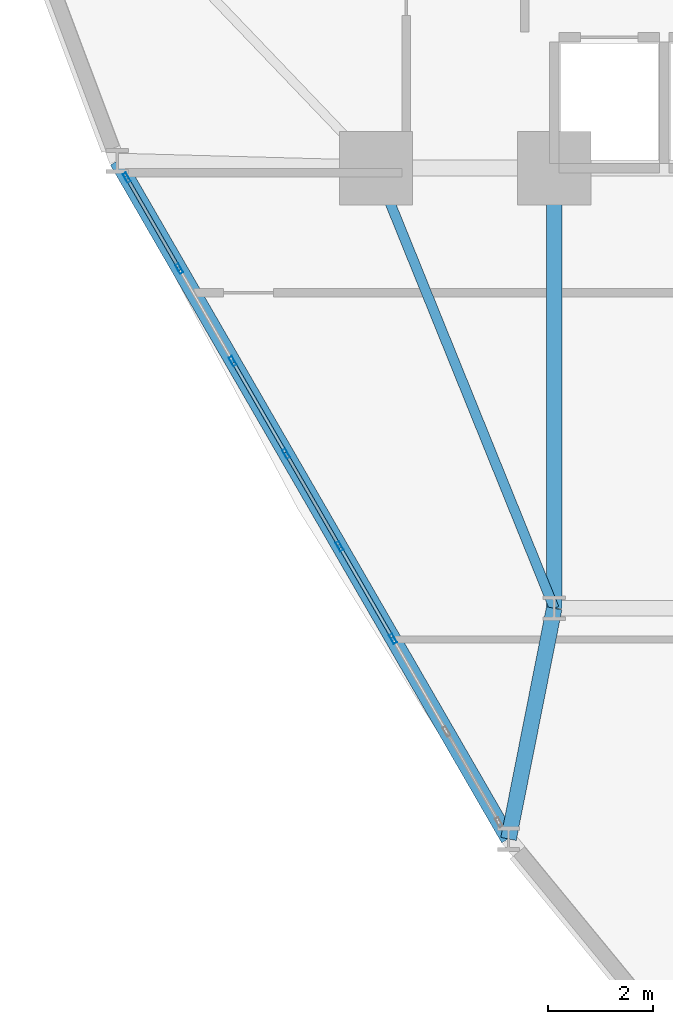
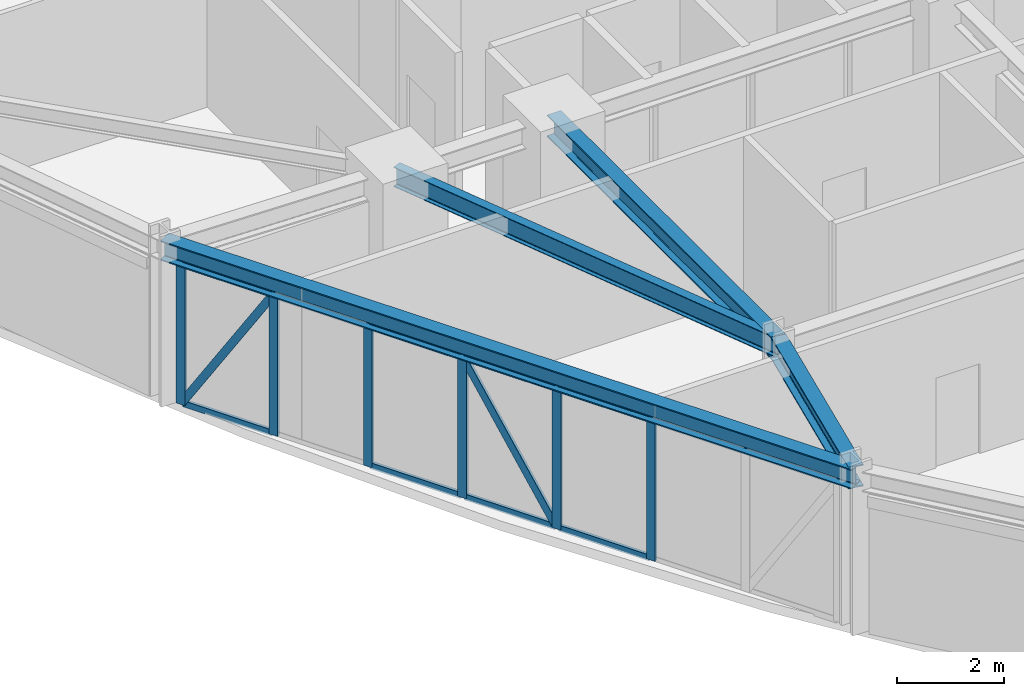
# One storey, part 4 of 20: 16 members, 4 beams, 1 element without a shape of its own.
"""IFC4 building model written with IfcOpenShell, lengths in metres."""

from ifc_helpers import new_model, si_unit, derived_unit, direction, frame, origin, origin_2d, place, context, subcontext, project, spatial, hollow_rectangle, i_section, extrude, source, transform, mapped, material, layer, layer_set, material_profile, profile_set, type_object, element, aggregate, save


model = new_model("IFC4")

# Units and contexts
model_context = context("Model", 3, precision=1e-05, world=origin(), true_north=direction((0.0, 1.0)))
body_context = subcontext(model_context, "Body", "Model", "MODEL_VIEW")
ifc_project = project(units=[si_unit("LENGTHUNIT", "METRE"), si_unit("AREAUNIT", "SQUARE_METRE"), si_unit("VOLUMEUNIT", "CUBIC_METRE"), si_unit("PLANEANGLEUNIT", "RADIAN"), si_unit("MASSUNIT", "GRAM", prefix="KILO"), derived_unit("THERMALTRANSMITTANCEUNIT", [(si_unit("POWERUNIT", "WATT"), 1), (si_unit("LENGTHUNIT", "METRE"), -2), (si_unit("THERMODYNAMICTEMPERATUREUNIT", "KELVIN"), -1)])], contexts=[model_context])

# Site, building, storey
site_placement = place(None, origin())
site = spatial("IfcSite", under=ifc_project, at=site_placement, CompositionType="ELEMENT")
building_placement = place(site_placement, origin())
building = spatial("IfcBuilding", under=site, at=building_placement, Name="Korsvarv Bourse and Concert Hall", CompositionType="ELEMENT")
storey_placement = place(building_placement, frame((0.0, 0.0, 75.60009765625)))
storey = spatial("IfcBuildingStorey", under=building, at=storey_placement, Name="L18", CompositionType="ELEMENT", Elevation=75.60009765625)

# Beams
ifc_material_1 = material(Name="Steel S355", Category="steel")
ifc_material_profile_1 = material_profile(ifc_material_1, i_section(OverallWidth=0.300048828125, OverallDepth=0.5, WebThickness=0.014404296875, FlangeThickness=0.028076171875, FilletRadius=0.02392578125, at=origin_2d()), Name="HEB 500")
ifc_profile_set_1 = profile_set([ifc_material_profile_1], Name="Steel S355")
beam_type_1 = type_object("IfcBeamType", Name="BM-HEB500", PredefinedType="BEAM", material=ifc_profile_set_1)
shared_shape_1 = source(origin(), body_context, "Body", "SweptSolid", [
    extrude(i_section(OverallWidth=0.300048828125, OverallDepth=0.5, WebThickness=0.014404296875, FlangeThickness=0.028076171875, FilletRadius=0.02392578125, at=origin_2d()), origin(), (0.0, 0.0, 1.0), 8.39990234375),
])
beam_1_placement = place(storey_placement, frame((27.60009765625, 24.0, 3.429931640625), z_axis=(0.0, 1.0, 0.0), x_axis=(-1.0, 0.0, 0.0)))
element("IfcBeam", 1, at=beam_1_placement, inside=storey, type_object=beam_type_1, Name="L18 beam B-07", PredefinedType="BEAM", context=body_context, shape_type="MappedRepresentation", body=[
    mapped(shared_shape_1, transform((0.0, 0.0, 0.0), scale=1.0)),
])
ifc_material_profile_2 = material_profile(ifc_material_1, i_section(OverallWidth=0.18994140625, OverallDepth=0.449951171875, WebThickness=0.009521484375, FlangeThickness=0.0146484375, FilletRadius=0.02099609375, at=origin_2d()), Name="IPE 450")
ifc_profile_set_2 = profile_set([ifc_material_profile_2], Name="Steel S355")
beam_type_2 = type_object("IfcBeamType", Name="BM-IPE450", PredefinedType="JOIST", material=ifc_profile_set_2)
shared_shape_2 = source(origin(), body_context, "Body", "SweptSolid", [
    extrude(i_section(OverallWidth=0.18994140625, OverallDepth=0.449951171875, WebThickness=0.009521484375, FlangeThickness=0.0146484375, FilletRadius=0.02099609375, at=origin_2d()), origin(), (0.0, 0.0, 1.0), 9.06201171875),
])
beam_2_placement = place(storey_placement, frame((24.199951171875, 32.39990234375, 3.454833984375), z_axis=(0.375210394783, -0.926939674222, 0.0), x_axis=(0.926939674222, 0.375210394783, 0.0)))
element("IfcBeam", 2, at=beam_2_placement, inside=storey, type_object=beam_type_2, Name="L18 beam J-04", PredefinedType="JOIST", context=body_context, shape_type="MappedRepresentation", body=[
    mapped(shared_shape_2, transform((0.0, 0.0, 0.0), scale=1.0)),
])
ifc_material_profile_3 = material_profile(ifc_material_1, i_section(OverallWidth=0.300048828125, OverallDepth=0.449951171875, WebThickness=0.013916015625, FlangeThickness=0.02587890625, FilletRadius=0.02099609375, at=origin_2d()), Name="HEB 450")
ifc_profile_set_3 = profile_set([ifc_material_profile_3], Name="Steel S355")
beam_type_3 = type_object("IfcBeamType", Name="BM-HEB450", PredefinedType="SPANDREL", material=ifc_profile_set_3)
shared_shape_3 = source(origin(), body_context, "Body", "SweptSolid", [
    extrude(i_section(OverallWidth=0.300048828125, OverallDepth=0.449951171875, WebThickness=0.013916015625, FlangeThickness=0.02587890625, FilletRadius=0.02099609375, at=origin_2d()), origin(), (0.0, 0.0, 1.0), 14.937255859375),
])
beam_3_placement = place(storey_placement, frame((19.259765625, 32.5341796875, 3.454833984375), z_axis=(0.500006357572, -0.866021733208, 0.0), x_axis=(0.866021733208, 0.500006357572, 0.0)))
element("IfcBeam", 3, at=beam_3_placement, inside=storey, type_object=beam_type_3, Name="L18 beam B-08", PredefinedType="SPANDREL", context=body_context, shape_type="MappedRepresentation", body=[
    mapped(shared_shape_3, transform((0.0, 0.0, 0.0), scale=1.0)),
])
shared_shape_4 = source(origin(), body_context, "Body", "SweptSolid", [
    extrude(i_section(OverallWidth=0.300048828125, OverallDepth=0.5, WebThickness=0.014404296875, FlangeThickness=0.028076171875, FilletRadius=0.02392578125, at=origin_2d()), origin(), (0.0, 0.0, 1.0), 4.4873046875),
])
beam_4_placement = place(storey_placement, frame((26.728515625, 19.59814453125, 3.429931640625), z_axis=(0.194232459341, 0.980955529949, 0.0), x_axis=(-0.980955529949, 0.194232459341, 0.0)))
element("IfcBeam", 4, at=beam_4_placement, inside=storey, type_object=beam_type_1, Name="L18 beam B-07", PredefinedType="BEAM", context=body_context, shape_type="MappedRepresentation", body=[
    mapped(shared_shape_4, transform((0.0, 0.0, 0.0), scale=1.0)),
])

# Curtain wall, members
ifc_material_2 = material(Name="Anodised aluminium and triple low-E glazing", Category="glass")
ifc_layer = layer(ifc_material_2, 0.219970703125)
ifc_layer_set = layer_set([ifc_layer], Name="Anodised aluminium and triple low-E glazing")
curtain_wall_type = type_object("IfcCurtainWallType", Name="CW-SYS-1", PredefinedType="NOTDEFINED", material=ifc_layer_set)
curtain_wall_placement = place(storey_placement, origin())
curtain_wall = element("IfcCurtainWall", 5, at=curtain_wall_placement, inside=storey, type_object=curtain_wall_type, Name="L18 CW1 curtain wall CW-L18-F07", PredefinedType="NOTDEFINED")
ifc_material_3 = material(Name="Extruded aluminium EN AW-6063 T66", Category="aluminium")
ifc_material_profile_4 = material_profile(ifc_material_3, hollow_rectangle(XDim=0.070068359375, YDim=0.18994140625, WallThickness=0.0048828125, at=origin_2d()), Name="ALU-M 70x190")
ifc_profile_set_4 = profile_set([ifc_material_profile_4], Name="Extruded aluminium EN AW-6063 T66")
member_type_1 = type_object("IfcMemberType", Name="CWM-190", PredefinedType="MULLION", material=ifc_profile_set_4)
shared_shape_5 = source(origin(), body_context, "Body", "SweptSolid", [
    extrude(hollow_rectangle(XDim=0.070068359375, YDim=0.18994140625, WallThickness=0.0048828125, at=origin_2d()), origin(), (0.0, 0.0, 1.0), 3.22998046875),
])
member_1_placement = place(storey_placement, frame((19.44287109375, 32.216796875, 0.0), z_axis=(0.0, 0.0, 1.0), x_axis=(0.866024243871, 0.500002009023, 0.0)))
member_1 = element("IfcMember", 6, at=member_1_placement, type_object=member_type_1, Name="CW1 mullion 1", PredefinedType="MULLION", context=body_context, shape_type="MappedRepresentation", body=[
    mapped(shared_shape_5, transform((0.0, 0.0, 0.0), scale=1.0)),
])
member_2_placement = place(storey_placement, frame((20.445068359375, 30.481201171875, 0.0), z_axis=(0.0, 0.0, 1.0), x_axis=(0.866024243871, 0.500002009023, 0.0)))
member_2 = element("IfcMember", 7, at=member_2_placement, type_object=member_type_1, Name="CW1 mullion 2", PredefinedType="MULLION", context=body_context, shape_type="MappedRepresentation", body=[
    mapped(shared_shape_5, transform((0.0, 0.0, 0.0), scale=1.0)),
])
member_3_placement = place(storey_placement, frame((21.464599609375, 28.715087890625, 0.0), z_axis=(0.0, 0.0, 1.0), x_axis=(0.866024243871, 0.500002009023, 0.0)))
member_3 = element("IfcMember", 8, at=member_3_placement, type_object=member_type_1, Name="CW1 mullion 3", PredefinedType="MULLION", context=body_context, shape_type="MappedRepresentation", body=[
    mapped(shared_shape_5, transform((0.0, 0.0, 0.0), scale=1.0)),
])
member_4_placement = place(storey_placement, frame((22.484130859375, 26.94921875, 0.0), z_axis=(0.0, 0.0, 1.0), x_axis=(0.866024243871, 0.500002009023, 0.0)))
member_4 = element("IfcMember", 9, at=member_4_placement, type_object=member_type_1, Name="CW1 mullion 4", PredefinedType="MULLION", context=body_context, shape_type="MappedRepresentation", body=[
    mapped(shared_shape_5, transform((0.0, 0.0, 0.0), scale=1.0)),
])
member_5_placement = place(storey_placement, frame((23.50390625, 25.18310546875, 0.0), z_axis=(0.0, 0.0, 1.0), x_axis=(0.866024243871, 0.500002009023, 0.0)))
member_5 = element("IfcMember", 10, at=member_5_placement, type_object=member_type_1, Name="CW1 mullion 5", PredefinedType="MULLION", context=body_context, shape_type="MappedRepresentation", body=[
    mapped(shared_shape_5, transform((0.0, 0.0, 0.0), scale=1.0)),
])
member_6_placement = place(storey_placement, frame((24.5234375, 23.417236328125, 0.0), z_axis=(0.0, 0.0, 1.0), x_axis=(0.866024243871, 0.500002009023, 0.0)))
member_6 = element("IfcMember", 11, at=member_6_placement, type_object=member_type_1, Name="CW1 mullion 6", PredefinedType="MULLION", context=body_context, shape_type="MappedRepresentation", body=[
    mapped(shared_shape_5, transform((0.0, 0.0, 0.0), scale=1.0)),
])
ifc_material_profile_5 = material_profile(ifc_material_3, hollow_rectangle(XDim=0.06494140625, YDim=0.139892578125, WallThickness=0.00390625, at=origin_2d()), Name="ALU-T 65x140")
ifc_profile_set_5 = profile_set([ifc_material_profile_5], Name="Extruded aluminium EN AW-6063 T66")
member_type_2 = type_object("IfcMemberType", Name="CWT-140", PredefinedType="USERDEFINED", material=ifc_profile_set_5)
shared_shape_6 = source(origin(), body_context, "Body", "SweptSolid", [
    extrude(hollow_rectangle(XDim=0.06494140625, YDim=0.139892578125, WallThickness=0.00390625, at=origin_2d()), origin(), (0.0, 0.0, 1.0), 1.93408203125),
])
member_7_placement = place(storey_placement, frame((19.46044921875, 32.1865234375, 0.032470703125), z_axis=(0.499981047344, -0.866036345829, 0.0), x_axis=(0.866036345829, 0.499981047344, 0.0)))
member_7 = element("IfcMember", 12, at=member_7_placement, type_object=member_type_2, Name="CW1 transom 1.1", ObjectType="TRANSOM", PredefinedType="USERDEFINED", context=body_context, shape_type="MappedRepresentation", body=[
    mapped(shared_shape_6, transform((0.0, 0.0, 0.0), scale=1.0)),
])
member_8_placement = place(storey_placement, frame((19.46044921875, 32.1865234375, 3.197509765625), z_axis=(0.499981047344, -0.866036345829, 0.0), x_axis=(0.866036345829, 0.499981047344, 0.0)))
member_8 = element("IfcMember", 13, at=member_8_placement, type_object=member_type_2, Name="CW1 transom 1.2", ObjectType="TRANSOM", PredefinedType="USERDEFINED", context=body_context, shape_type="MappedRepresentation", body=[
    mapped(shared_shape_6, transform((0.0, 0.0, 0.0), scale=1.0)),
])
ifc_material_profile_6 = material_profile(ifc_material_3, hollow_rectangle(XDim=0.06494140625, YDim=0.1650390625, WallThickness=0.0048828125, at=origin_2d()), Name="ALU-M 65x165")
ifc_profile_set_6 = profile_set([ifc_material_profile_6], Name="Extruded aluminium EN AW-6063 T66")
member_type_3 = type_object("IfcMemberType", Name="CWM-165", PredefinedType="MULLION", material=ifc_profile_set_6)
shared_shape_7 = source(origin(), body_context, "Body", "SweptSolid", [
    extrude(hollow_rectangle(XDim=0.06494140625, YDim=0.1650390625, WallThickness=0.0048828125, at=origin_2d()), origin(), (0.0, 0.0, 1.0), 3.65380859375),
])
member_9_placement = place(storey_placement, frame((19.46044921875, 32.1865234375, 0.06494140625), z_axis=(0.264669239275, -0.458443739123, 0.848398215369), x_axis=(0.866036345829, 0.499981047344, 0.0)))
member_9 = element("IfcMember", 14, at=member_9_placement, type_object=member_type_3, Name="CW1 diagonal mullion 1", PredefinedType="MULLION", context=body_context, shape_type="MappedRepresentation", body=[
    mapped(shared_shape_7, transform((0.0, 0.0, 0.0), scale=1.0)),
])
shared_shape_8 = source(origin(), body_context, "Body", "SweptSolid", [
    extrude(hollow_rectangle(XDim=0.06494140625, YDim=0.139892578125, WallThickness=0.00390625, at=origin_2d()), origin(), (0.0, 0.0, 1.0), 1.969482421875),
])
member_10_placement = place(storey_placement, frame((22.501708984375, 26.9189453125, 0.032470703125), z_axis=(0.499965693083, -0.866045209986, 0.0), x_axis=(0.866045209986, 0.499965693083, 0.0)))
member_10 = element("IfcMember", 15, at=member_10_placement, type_object=member_type_2, Name="CW1 transom 4.1", ObjectType="TRANSOM", PredefinedType="USERDEFINED", context=body_context, shape_type="MappedRepresentation", body=[
    mapped(shared_shape_8, transform((0.0, 0.0, 0.0), scale=1.0)),
])
member_11_placement = place(storey_placement, frame((22.501708984375, 26.9189453125, 3.197509765625), z_axis=(0.499965693083, -0.866045209986, 0.0), x_axis=(0.866045209986, 0.499965693083, 0.0)))
member_11 = element("IfcMember", 16, at=member_11_placement, type_object=member_type_2, Name="CW1 transom 4.2", ObjectType="TRANSOM", PredefinedType="USERDEFINED", context=body_context, shape_type="MappedRepresentation", body=[
    mapped(shared_shape_8, transform((0.0, 0.0, 0.0), scale=1.0)),
])
shared_shape_9 = source(origin(), body_context, "Body", "SweptSolid", [
    extrude(hollow_rectangle(XDim=0.06494140625, YDim=0.139892578125, WallThickness=0.00390625, at=origin_2d()), origin(), (0.0, 0.0, 1.0), 1.96923828125),
])
member_12_placement = place(storey_placement, frame((21.482177734375, 28.684814453125, 0.032470703125), z_axis=(0.500019375444, -0.866014217078, 0.0), x_axis=(0.866014217078, 0.500019375444, 0.0)))
member_12 = element("IfcMember", 17, at=member_12_placement, type_object=member_type_2, Name="CW1 transom 3.1", ObjectType="TRANSOM", PredefinedType="USERDEFINED", context=body_context, shape_type="MappedRepresentation", body=[
    mapped(shared_shape_9, transform((0.0, 0.0, 0.0), scale=1.0)),
])
member_13_placement = place(storey_placement, frame((21.482177734375, 28.684814453125, 3.197509765625), z_axis=(0.500019375444, -0.866014217078, 0.0), x_axis=(0.866014217078, 0.500019375444, 0.0)))
member_13 = element("IfcMember", 18, at=member_13_placement, type_object=member_type_2, Name="CW1 transom 3.2", ObjectType="TRANSOM", PredefinedType="USERDEFINED", context=body_context, shape_type="MappedRepresentation", body=[
    mapped(shared_shape_9, transform((0.0, 0.0, 0.0), scale=1.0)),
])
member_14_placement = place(storey_placement, frame((23.521240234375, 25.15283203125, 0.032470703125), z_axis=(0.500019375444, -0.866014217078, 0.0), x_axis=(0.866014217078, 0.500019375444, 0.0)))
member_14 = element("IfcMember", 19, at=member_14_placement, type_object=member_type_2, Name="CW1 transom 5.1", ObjectType="TRANSOM", PredefinedType="USERDEFINED", context=body_context, shape_type="MappedRepresentation", body=[
    mapped(shared_shape_9, transform((0.0, 0.0, 0.0), scale=1.0)),
])
member_15_placement = place(storey_placement, frame((23.521240234375, 25.15283203125, 3.197509765625), z_axis=(0.500019375444, -0.866014217078, 0.0), x_axis=(0.866014217078, 0.500019375444, 0.0)))
member_15 = element("IfcMember", 20, at=member_15_placement, type_object=member_type_2, Name="CW1 transom 5.2", ObjectType="TRANSOM", PredefinedType="USERDEFINED", context=body_context, shape_type="MappedRepresentation", body=[
    mapped(shared_shape_9, transform((0.0, 0.0, 0.0), scale=1.0)),
])
shared_shape_10 = source(origin(), body_context, "Body", "SweptSolid", [
    extrude(hollow_rectangle(XDim=0.06494140625, YDim=0.1650390625, WallThickness=0.0048828125, at=origin_2d()), origin(), (0.0, 0.0, 1.0), 3.672607421875),
])
member_16_placement = place(storey_placement, frame((23.486328125, 25.21337890625, 0.06494140625), z_axis=(-0.268103305098, 0.464411031345, 0.844063393212), x_axis=(-0.866045209986, -0.499965693083, 0.0)))
member_16 = element("IfcMember", 21, at=member_16_placement, type_object=member_type_3, Name="CW1 diagonal mullion 4", PredefinedType="MULLION", context=body_context, shape_type="MappedRepresentation", body=[
    mapped(shared_shape_10, transform((0.0, 0.0, 0.0), scale=1.0)),
])
aggregate(curtain_wall, [member_1, member_2, member_3, member_4, member_5, member_6, member_7, member_8, member_9, member_12, member_13, member_10, member_11, member_16, member_14, member_15])

save(model, "model.ifc")
